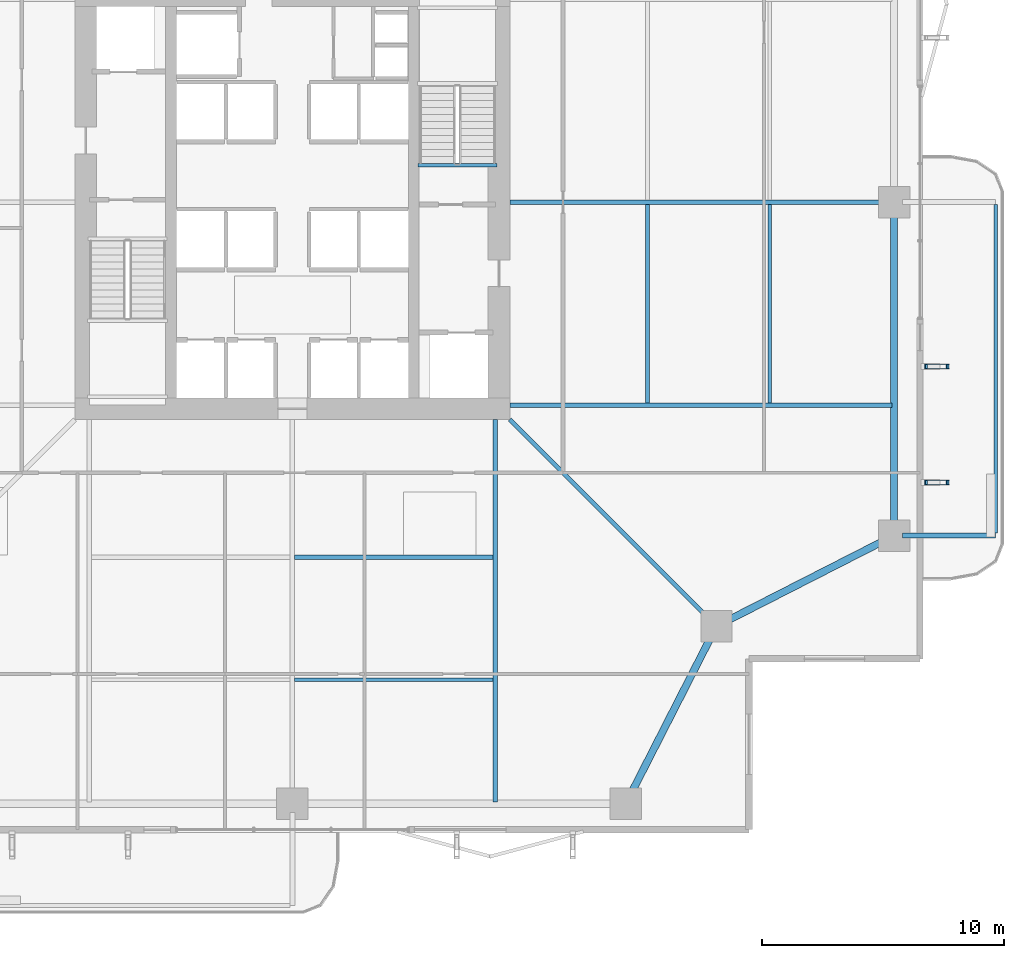
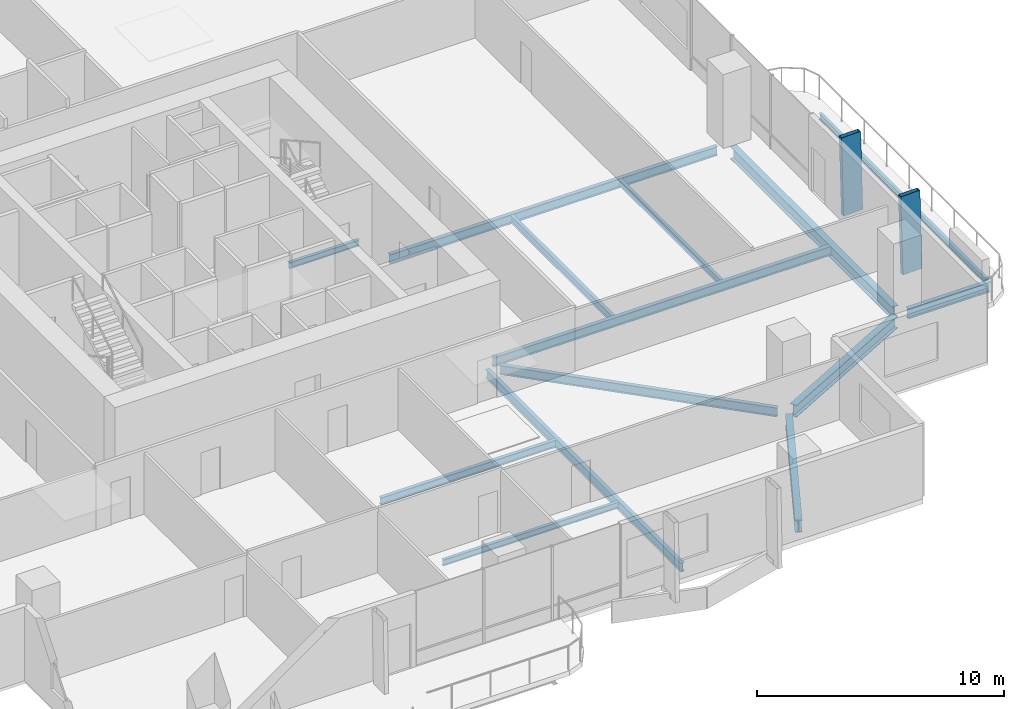
# One storey, part 7 of 23: 14 beams, 2 members.
"""IFC4 building model written with IfcOpenShell, lengths in metres."""

from ifc_helpers import new_model, si_unit, direction, frame, origin, origin_2d, place, context, subcontext, project, spatial, hollow_rectangle, i_section, extrude, material, material_profile, profile_set, type_object, element, save


model = new_model("IFC4")

# Units and contexts
model_context = context("Model", 3, precision=1e-05, world=origin(), true_north=direction((0.0, 1.0)))
body_context = subcontext(model_context, "Body", "Model", "MODEL_VIEW")
ifc_project = project(units=[si_unit("LENGTHUNIT", "METRE"), si_unit("AREAUNIT", "SQUARE_METRE"), si_unit("VOLUMEUNIT", "CUBIC_METRE"), si_unit("PLANEANGLEUNIT", "RADIAN"), si_unit("MASSUNIT", "GRAM", prefix="KILO")], contexts=[model_context])

# Site, building, storey
site_placement = place(None, origin())
site = spatial("IfcSite", under=ifc_project, at=site_placement, CompositionType="ELEMENT")
building_placement = place(site_placement, origin())
building = spatial("IfcBuilding", under=site, at=building_placement, Name="Belovzor Exchange Tower", CompositionType="ELEMENT")
storey_placement = place(building_placement, frame((0.0, 0.0, 125.10009765625)))
storey = spatial("IfcBuildingStorey", under=building, at=storey_placement, Name="L30", CompositionType="ELEMENT", Elevation=125.10009765625)

# Beams
ifc_material_1 = material(Name="Steel S355", Category="steel")
ifc_material_profile_1 = material_profile(ifc_material_1, i_section(OverallWidth=0.199951171875, OverallDepth=0.5, WebThickness=0.01025390625, FlangeThickness=0.01611328125, at=origin_2d()))
ifc_profile_set_1 = profile_set([ifc_material_profile_1], Name="Steel S355")
beam_type_1 = type_object("IfcBeamType", Name="Planted Balcony Cantilever Beam IPE 500", PredefinedType="BEAM", material=ifc_profile_set_1)
beam_1_placement = place(storey_placement, frame((54.05810546875, 15.0, -0.5), z_axis=(1.0, 0.0, 0.0), x_axis=(0.0, 1.0, 0.0)))
element("IfcBeam", 1, at=beam_1_placement, inside=storey, type_object=beam_type_1, Name="BC-500 Planted Balcony Cantilever Beam IPE 500", PredefinedType="BEAM", context=body_context, shape_type="SweptSolid", body=[
    extrude(i_section(OverallWidth=0.199951171875, OverallDepth=0.5, WebThickness=0.01025390625, FlangeThickness=0.01611328125, at=origin_2d()), origin(), (0.0, 0.0, 1.0), 3.849853515625),
])
ifc_material_2 = material(Name="Steel S355", Category="steel")
ifc_material_profile_2 = material_profile(ifc_material_2, i_section(OverallWidth=0.14990234375, OverallDepth=0.300048828125, WebThickness=0.007080078125, FlangeThickness=0.0107421875, at=origin_2d()))
ifc_profile_set_2 = profile_set([ifc_material_profile_2], Name="Steel S355")
beam_type_2 = type_object("IfcBeamType", Name="Planted Balcony Fascia Edge Beam IPE 300", PredefinedType="BEAM", material=ifc_profile_set_2)
beam_2_placement = place(storey_placement, frame((57.907958984375, 15.10009765625, -0.400146484375), z_axis=(0.0, 1.0, 0.0), x_axis=(-1.0, 0.0, 0.0)))
element("IfcBeam", 2, at=beam_2_placement, inside=storey, type_object=beam_type_2, Name="BC-300 Planted Balcony Fascia Edge Beam IPE 300", PredefinedType="BEAM", context=body_context, shape_type="SweptSolid", body=[
    extrude(i_section(OverallWidth=0.14990234375, OverallDepth=0.300048828125, WebThickness=0.007080078125, FlangeThickness=0.0107421875, at=origin_2d()), origin(), (0.0, 0.0, 1.0), 13.599853515625),
])
ifc_material_3 = material(Name="Steel S355", Category="steel")
ifc_material_profile_3 = material_profile(ifc_material_3, i_section(OverallWidth=0.169921875, OverallDepth=0.360107421875, WebThickness=0.008056640625, FlangeThickness=0.0126953125, at=origin_2d()))
ifc_profile_set_3 = profile_set([ifc_material_profile_3], Name="Steel S355")
beam_type_3 = type_object("IfcBeamType", Name="Secondary Infill Floor Joist IPE 360", PredefinedType="BEAM", material=ifc_profile_set_3)
for number, where, z_axis, x_axis, name in (
    (3, (28.89501953125, 14.10302734375, -0.43017578125), (1.0, 0.0, 0.0), (0.0, 1.0, 0.0), "FJ-360 Secondary Infill Floor Joist IPE 360"),
    (4, (43.4970703125, 20.4951171875, -0.43017578125), (0.0, 1.0, 0.0), (-1.0, 0.0, 0.0), "FJ-360 Secondary Infill Floor Joist IPE 360"),
):
    element("IfcBeam", number, at=place(storey_placement, frame(where, z_axis=z_axis, x_axis=x_axis)), inside=storey, type_object=beam_type_3, Name=name, PredefinedType="BEAM", context=body_context, shape_type="SweptSolid", body=[
        extrude(i_section(OverallWidth=0.169921875, OverallDepth=0.360107421875, WebThickness=0.008056640625, FlangeThickness=0.0126953125, at=origin_2d()), origin(), (0.0, 0.0, 1.0), 8.2099609375),
    ])
ifc_material_4 = material(Name="Steel S355", Category="steel")
ifc_material_profile_4 = material_profile(ifc_material_4, i_section(OverallWidth=0.14990234375, OverallDepth=0.300048828125, WebThickness=0.007080078125, FlangeThickness=0.0107421875, at=origin_2d()))
ifc_profile_set_4 = profile_set([ifc_material_profile_4], Name="Steel S355")
beam_type_4 = type_object("IfcBeamType", Name="Secondary Trim Floor Joist IPE 300", PredefinedType="BEAM", material=ifc_profile_set_4)
beam_3_placement = place(storey_placement, frame((37.260009765625, 30.320068359375, -0.400146484375), z_axis=(-1.0, 0.0, 0.0), x_axis=(0.0, -1.0, 0.0)))
element("IfcBeam", 5, at=beam_3_placement, inside=storey, type_object=beam_type_4, Name="FJ-300 Secondary Trim Floor Joist IPE 300", PredefinedType="BEAM", context=body_context, shape_type="SweptSolid", body=[
    extrude(i_section(OverallWidth=0.14990234375, OverallDepth=0.300048828125, WebThickness=0.007080078125, FlangeThickness=0.0107421875, at=origin_2d()), origin(), (0.0, 0.0, 1.0), 3.27001953125),
])
for number, where, z_axis, x_axis, name in (
    (6, (28.89501953125, 9.0390625, -0.400146484375), (1.0, 0.0, 0.0), (0.0, 1.0, 0.0), "FJ-300 Secondary Trim Floor Joist IPE 300"),
    (7, (48.56103515625, 20.4951171875, -0.400146484375), (0.0, 1.0, 0.0), (-1.0, 0.0, 0.0), "FJ-300 Secondary Trim Floor Joist IPE 300"),
):
    element("IfcBeam", number, at=place(storey_placement, frame(where, z_axis=z_axis, x_axis=x_axis)), inside=storey, type_object=beam_type_4, Name=name, PredefinedType="BEAM", context=body_context, shape_type="SweptSolid", body=[
        extrude(i_section(OverallWidth=0.14990234375, OverallDepth=0.300048828125, WebThickness=0.007080078125, FlangeThickness=0.0107421875, at=origin_2d()), origin(), (0.0, 0.0, 1.0), 8.2099609375),
    ])

# Members
ifc_material_5 = material(Name="Extruded Architectural Terracotta on Steel S355 Carrier", Category="masonry")
ifc_material_profile_5 = material_profile(ifc_material_5, hollow_rectangle(XDim=0.199951171875, YDim=0.89990234375, WallThickness=0.011962890625, at=origin_2d()))
ifc_profile_set_5 = profile_set([ifc_material_profile_5], Name="Extruded Architectural Terracotta on Steel S355 Carrier")
member_type = type_object("IfcMemberType", Name="Sweeping Terracotta Baguette Fin Assembly 1250", PredefinedType="USERDEFINED", material=ifc_profile_set_5)
for number, where, z_axis, x_axis, name in (
    (8, (55.528076171875, 17.199951171875, -0.25), (-0.026408715329, 0.0, 0.999651229057), (0.0, -1.0, 0.0), "FIN-TC125 Terracotta Facade Fin L30 E1"),
    (9, (55.528076171875, 22.0, -0.25), (-0.026408715329, 0.0, 0.999651229057), (0.0, -1.0, 0.0), "FIN-TC125 Terracotta Facade Fin L30 E2"),
):
    element("IfcMember", number, at=place(storey_placement, frame(where, z_axis=z_axis, x_axis=x_axis)), inside=storey, type_object=member_type, Name=name, ObjectType="FIN", PredefinedType="USERDEFINED", context=body_context, shape_type="SweptSolid", body=[
        extrude(hollow_rectangle(XDim=0.199951171875, YDim=0.89990234375, WallThickness=0.011962890625, at=origin_2d()), origin(), (0.0, 0.0, 1.0), 3.9013671875),
    ])

# Beams
ifc_material_6 = material(Name="Steel S355", Category="steel")
ifc_material_profile_6 = material_profile(ifc_material_6, i_section(OverallWidth=0.300048828125, OverallDepth=0.60009765625, WebThickness=0.015380859375, FlangeThickness=0.030029296875, at=origin_2d()))
ifc_profile_set_6 = profile_set([ifc_material_profile_6], Name="Steel S355")
beam_type_5 = type_object("IfcBeamType", Name="Zone 2 Primary Perimeter Girder HEB 600", PredefinedType="BEAM", material=ifc_profile_set_6)
for number, where, z_axis, x_axis, name in (
    (10, (42.761962890625, 4.218017578125, -0.550048828125), (0.454531706448, 0.890730558493, 0.0), (-0.890730558493, 0.454531706448, 0.0), "FG-Z2 Zone 2 Primary Perimeter Girder HEB 600"),
    (11, (46.66796875, 11.412109375, -0.550048828125), (0.890750362822, 0.454492894481, 0.0), (-0.454492894481, 0.890750362822, 0.0), "FG-Z2 Zone 2 Primary Perimeter Girder HEB 600"),
):
    element("IfcBeam", number, at=place(storey_placement, frame(where, z_axis=z_axis, x_axis=x_axis)), inside=storey, type_object=beam_type_5, Name=name, PredefinedType="BEAM", context=body_context, shape_type="SweptSolid", body=[
        extrude(i_section(OverallWidth=0.300048828125, OverallDepth=0.60009765625, WebThickness=0.015380859375, FlangeThickness=0.030029296875, at=origin_2d()), origin(), (0.0, 0.0, 1.0), 7.53759765625),
    ])
beam_4_placement = place(storey_placement, frame((53.699951171875, 15.35693359375, -0.550048828125), z_axis=(0.0, 1.0, 0.0), x_axis=(-1.0, 0.0, 0.0)))
element("IfcBeam", 12, at=beam_4_placement, inside=storey, type_object=beam_type_5, Name="FG-Z2 Zone 2 Primary Perimeter Girder HEB 600", PredefinedType="BEAM", context=body_context, shape_type="SweptSolid", body=[
    extrude(i_section(OverallWidth=0.300048828125, OverallDepth=0.60009765625, WebThickness=0.015380859375, FlangeThickness=0.030029296875, at=origin_2d()), origin(), (0.0, 0.0, 1.0), 13.0849609375),
])
ifc_material_7 = material(Name="Steel S355", Category="steel")
ifc_material_profile_7 = material_profile(ifc_material_7, i_section(OverallWidth=0.18994140625, OverallDepth=0.449951171875, WebThickness=0.009521484375, FlangeThickness=0.0146484375, at=origin_2d()))
ifc_profile_set_7 = profile_set([ifc_material_profile_7], Name="Steel S355")
beam_type_6 = type_object("IfcBeamType", Name="Zone 2-4 Radial Composite Floor Beam IPE 450", PredefinedType="BEAM", material=ifc_profile_set_7)
for number, where, z_axis, x_axis, name in (
    (13, (37.199951171875, 19.800048828125, -0.47509765625), (0.0, -1.0, 0.0), (1.0, 0.0, 0.0), "FB-450 Zone 2-4 Radial Composite Floor Beam IPE 450"),
    (14, (37.800048828125, 20.39990234375, -0.47509765625), (1.0, 0.0, 0.0), (0.0, 1.0, 0.0), "FB-450 Zone 2-4 Radial Composite Floor Beam IPE 450"),
):
    element("IfcBeam", number, at=place(storey_placement, frame(where, z_axis=z_axis, x_axis=x_axis)), inside=storey, type_object=beam_type_6, Name=name, PredefinedType="BEAM", context=body_context, shape_type="SweptSolid", body=[
        extrude(i_section(OverallWidth=0.18994140625, OverallDepth=0.449951171875, WebThickness=0.009521484375, FlangeThickness=0.0146484375, at=origin_2d()), origin(), (0.0, 0.0, 1.0), 15.824951171875),
    ])
beam_5_placement = place(storey_placement, frame((37.800048828125, 28.800048828125, -0.47509765625), z_axis=(1.0, 0.0, 0.0), x_axis=(0.0, 1.0, 0.0)))
element("IfcBeam", 15, at=beam_5_placement, inside=storey, type_object=beam_type_6, Name="FB-450 Zone 2-4 Radial Composite Floor Beam IPE 450", PredefinedType="BEAM", context=body_context, shape_type="SweptSolid", body=[
    extrude(i_section(OverallWidth=0.18994140625, OverallDepth=0.449951171875, WebThickness=0.009521484375, FlangeThickness=0.0146484375, at=origin_2d()), origin(), (0.0, 0.0, 1.0), 15.327880859375),
])
beam_6_placement = place(storey_placement, frame((37.800048828125, 19.800048828125, -0.47509765625), z_axis=(0.70709628664, -0.707117275577, 0.0), x_axis=(0.707117275577, 0.70709628664, 0.0)))
element("IfcBeam", 16, at=beam_6_placement, inside=storey, type_object=beam_type_6, Name="FB-450 Zone 2-4 Radial Composite Floor Beam IPE 450", PredefinedType="BEAM", context=body_context, shape_type="SweptSolid", body=[
    extrude(i_section(OverallWidth=0.18994140625, OverallDepth=0.449951171875, WebThickness=0.009521484375, FlangeThickness=0.0146484375, at=origin_2d()), origin(), (0.0, 0.0, 1.0), 11.6318359375),
])

save(model, "model.ifc")
